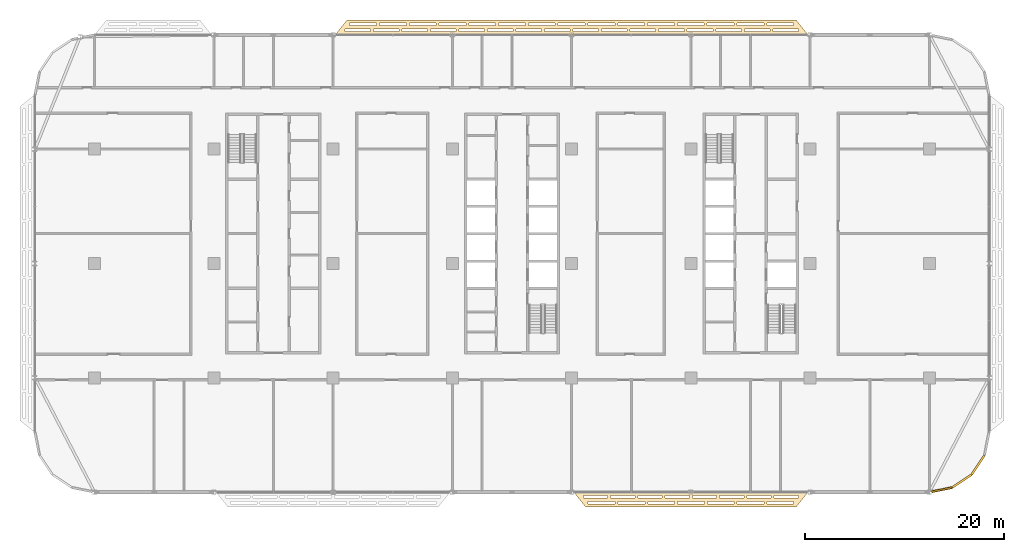
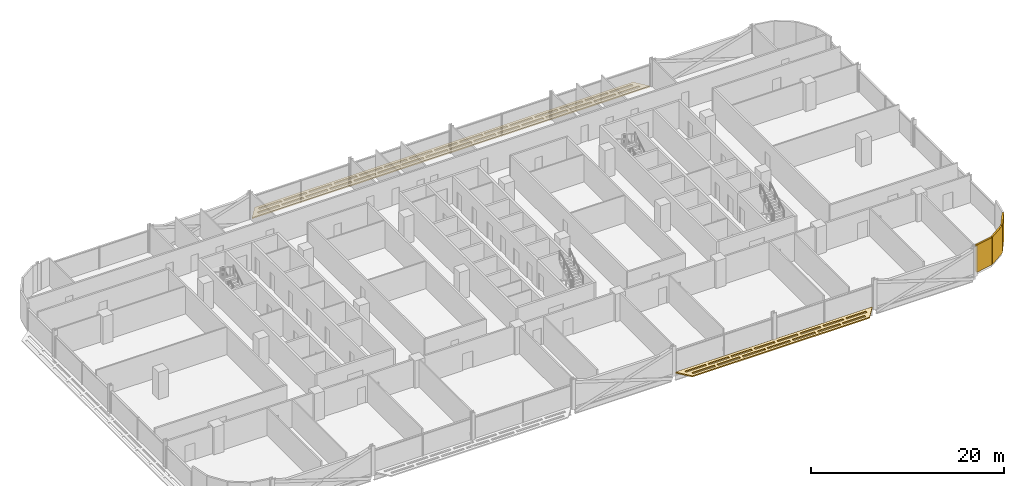
# One storey, part 25 of 27: 5 coverings.
"""IFC4 building model written with IfcOpenShell, lengths in metres."""

from ifc_helpers import new_model, si_unit, direction, frame, origin, origin_2d, place, context, subcontext, project, spatial, polyline, rectangle, outline, extrude, material, layer, layer_set, type_object, element, save


model = new_model("IFC4")

# Units and contexts
model_context = context("Model", 3, precision=1e-05, world=origin(), true_north=direction((0.0, 1.0)))
body_context = subcontext(model_context, "Body", "Model", "MODEL_VIEW")
ifc_project = project(units=[si_unit("LENGTHUNIT", "METRE"), si_unit("AREAUNIT", "SQUARE_METRE"), si_unit("VOLUMEUNIT", "CUBIC_METRE"), si_unit("PLANEANGLEUNIT", "RADIAN"), si_unit("MASSUNIT", "GRAM", prefix="KILO")], contexts=[model_context])

# Site, building, storey
site_placement = place(None, origin())
site = spatial("IfcSite", under=ifc_project, at=site_placement, CompositionType="ELEMENT")
building_placement = place(site_placement, origin())
building = spatial("IfcBuilding", under=site, at=building_placement, Name="Mahtab Terrace Research Tower", CompositionType="ELEMENT")
storey_placement = place(building_placement, frame((0.0, 0.0, 166.800048828125)))
storey = spatial("IfcBuildingStorey", under=building, at=storey_placement, Name="L39", CompositionType="ELEMENT", Elevation=166.800048828125)

# Coverings
ifc_material_1 = material(Name="Black aluminium cladding panel", Category="aluminium")
ifc_layer_1 = layer(ifc_material_1, 0.199951171875)
ifc_layer_set_1 = layer_set([ifc_layer_1], Name="Black metal corner cladding 200")
covering_type_1 = type_object("IfcCoveringType", Name="Black metal corner cladding 200", PredefinedType="CLADDING", material=ifc_layer_set_1)
covering_1_placement = place(storey_placement, frame((43.25830078125, -22.74951171875, 0.0), z_axis=(0.0, 0.0, 1.0), x_axis=(0.980760981187, 0.195212442692, 0.0)))
element("IfcCovering", 1, at=covering_1_placement, inside=storey, type_object=covering_type_1, Name="Corner cladding L39 30", PredefinedType="CLADDING", context=body_context, shape_type="SweptSolid", body=[
    extrude(rectangle(XDim=2.07666015625, YDim=0.199951171875, at=origin_2d()), origin(), (0.0, 0.0, 1.0), 3.4599609375),
])
for number, where, z_axis, x_axis, name in (
    (2, (45.26953125, -21.89306640625, 0.0), (0.0, 0.0, 1.0), (0.831655794326, 0.555291490808, 0.0), "Corner cladding L39 31"),
    (3, (46.89306640625, -20.26953125, 0.0), (0.0, 0.0, 1.0), (0.555291490808, 0.831655794326, 0.0), "Corner cladding L39 32"),
):
    element("IfcCovering", number, at=place(storey_placement, frame(where, z_axis=z_axis, x_axis=x_axis)), inside=storey, type_object=covering_type_1, Name=name, PredefinedType="CLADDING", context=body_context, shape_type="SweptSolid", body=[
        extrude(rectangle(XDim=2.30126953125, YDim=0.199951171875, at=origin_2d()), origin(), (0.0, 0.0, 1.0), 3.4599609375),
    ])
ifc_material_2 = material(Name="Black anodised aluminium", Category="aluminium")
ifc_layer_2 = layer(ifc_material_2, 0.14990234375)
ifc_layer_set_2 = layer_set([ifc_layer_2], Name="Horizontal sunshade band")
covering_type_2 = type_object("IfcCoveringType", Name="Horizontal sunshade band", PredefinedType="CLADDING", material=ifc_layer_set_2)
covering_2_placement = place(storey_placement, frame((0.0, 0.0, -0.150146484375)))
element("IfcCovering", 4, at=covering_2_placement, inside=storey, type_object=covering_type_2, Name="Sunshade band L39 4", PredefinedType="CLADDING", context=body_context, shape_type="SweptSolid", body=[
    extrude(outline(polyline([(29.7919921875, 23.0), (-17.7919921875, 23.0), (-16.592041015625, 24.5), (28.592041015625, 24.5), (29.7919921875, 23.0)]), holes=[polyline([(28.81201171875, 23.35009765625), (26.241943359375, 23.35009765625), (26.241943359375, 23.60009765625), (28.81201171875, 23.60009765625), (28.81201171875, 23.35009765625)]), polyline([(25.94189453125, 23.35009765625), (23.37109375, 23.35009765625), (23.37109375, 23.60009765625), (25.94189453125, 23.60009765625), (25.94189453125, 23.35009765625)]), polyline([(23.072021484375, 23.35009765625), (20.5009765625, 23.35009765625), (20.5009765625, 23.60009765625), (23.072021484375, 23.60009765625), (23.072021484375, 23.35009765625)]), polyline([(20.200927734375, 23.35009765625), (17.631103515625, 23.35009765625), (17.631103515625, 23.60009765625), (20.200927734375, 23.60009765625), (20.200927734375, 23.35009765625)]), polyline([(17.3310546875, 23.35009765625), (14.760986328125, 23.35009765625), (14.760986328125, 23.60009765625), (17.3310546875, 23.60009765625), (17.3310546875, 23.35009765625)]), polyline([(14.4609375, 23.35009765625), (11.889892578125, 23.35009765625), (11.889892578125, 23.60009765625), (14.4609375, 23.60009765625), (14.4609375, 23.35009765625)]), polyline([(11.590087890625, 23.35009765625), (9.02001953125, 23.35009765625), (9.02001953125, 23.60009765625), (11.590087890625, 23.60009765625), (11.590087890625, 23.35009765625)]), polyline([(8.719970703125, 23.35009765625), (6.14990234375, 23.35009765625), (6.14990234375, 23.60009765625), (8.719970703125, 23.60009765625), (8.719970703125, 23.35009765625)]), polyline([(5.85009765625, 23.35009765625), (3.280029296875, 23.35009765625), (3.280029296875, 23.60009765625), (5.85009765625, 23.60009765625), (5.85009765625, 23.35009765625)]), polyline([(2.97998046875, 23.35009765625), (0.408935546875, 23.35009765625), (0.408935546875, 23.60009765625), (2.97998046875, 23.60009765625), (2.97998046875, 23.35009765625)]), polyline([(0.10888671875, 23.35009765625), (-2.4609375, 23.35009765625), (-2.4609375, 23.60009765625), (0.10888671875, 23.60009765625), (0.10888671875, 23.35009765625)]), polyline([(-2.760986328125, 23.35009765625), (-5.3310546875, 23.35009765625), (-5.3310546875, 23.60009765625), (-2.760986328125, 23.60009765625), (-2.760986328125, 23.35009765625)]), polyline([(-5.631103515625, 23.35009765625), (-8.200927734375, 23.35009765625), (-8.200927734375, 23.60009765625), (-5.631103515625, 23.60009765625), (-5.631103515625, 23.35009765625)]), polyline([(-8.5009765625, 23.35009765625), (-11.072021484375, 23.35009765625), (-11.072021484375, 23.60009765625), (-8.5009765625, 23.60009765625), (-8.5009765625, 23.35009765625)]), polyline([(-11.3720703125, 23.35009765625), (-13.94189453125, 23.35009765625), (-13.94189453125, 23.60009765625), (-11.3720703125, 23.60009765625), (-11.3720703125, 23.35009765625)]), polyline([(-14.241943359375, 23.35009765625), (-16.81201171875, 23.35009765625), (-16.81201171875, 23.60009765625), (-14.241943359375, 23.60009765625), (-14.241943359375, 23.35009765625)]), polyline([(28.33203125, 23.949951171875), (25.634033203125, 23.949951171875), (25.634033203125, 24.199951171875), (28.33203125, 24.199951171875), (28.33203125, 23.949951171875)]), polyline([(25.333984375, 23.949951171875), (22.636962890625, 23.949951171875), (22.636962890625, 24.199951171875), (25.333984375, 24.199951171875), (25.333984375, 23.949951171875)]), polyline([(22.3369140625, 23.949951171875), (19.638916015625, 23.949951171875), (19.638916015625, 24.199951171875), (22.3369140625, 24.199951171875), (22.3369140625, 23.949951171875)]), polyline([(19.339111328125, 23.949951171875), (16.64208984375, 23.949951171875), (16.64208984375, 24.199951171875), (19.339111328125, 24.199951171875), (19.339111328125, 23.949951171875)]), polyline([(16.342041015625, 23.949951171875), (13.64404296875, 23.949951171875), (13.64404296875, 24.199951171875), (16.342041015625, 24.199951171875), (16.342041015625, 23.949951171875)]), polyline([(13.343994140625, 23.949951171875), (10.64599609375, 23.949951171875), (10.64599609375, 24.199951171875), (13.343994140625, 24.199951171875), (13.343994140625, 23.949951171875)]), polyline([(10.345947265625, 23.949951171875), (7.64892578125, 23.949951171875), (7.64892578125, 24.199951171875), (10.345947265625, 24.199951171875), (10.345947265625, 23.949951171875)]), polyline([(7.34912109375, 23.949951171875), (4.65087890625, 23.949951171875), (4.65087890625, 24.199951171875), (7.34912109375, 24.199951171875), (7.34912109375, 23.949951171875)]), polyline([(4.35107421875, 23.949951171875), (1.654052734375, 23.949951171875), (1.654052734375, 24.199951171875), (4.35107421875, 24.199951171875), (4.35107421875, 23.949951171875)]), polyline([(1.35400390625, 23.949951171875), (-1.343994140625, 23.949951171875), (-1.343994140625, 24.199951171875), (1.35400390625, 24.199951171875), (1.35400390625, 23.949951171875)]), polyline([(-1.64404296875, 23.949951171875), (-4.342041015625, 23.949951171875), (-4.342041015625, 24.199951171875), (-1.64404296875, 24.199951171875), (-1.64404296875, 23.949951171875)]), polyline([(-4.64208984375, 23.949951171875), (-7.339111328125, 23.949951171875), (-7.339111328125, 24.199951171875), (-4.64208984375, 24.199951171875), (-4.64208984375, 23.949951171875)]), polyline([(-7.638916015625, 23.949951171875), (-10.3369140625, 23.949951171875), (-10.3369140625, 24.199951171875), (-7.638916015625, 24.199951171875), (-7.638916015625, 23.949951171875)]), polyline([(-10.636962890625, 23.949951171875), (-13.333984375, 23.949951171875), (-13.333984375, 24.199951171875), (-10.636962890625, 24.199951171875), (-10.636962890625, 23.949951171875)]), polyline([(-13.634033203125, 23.949951171875), (-16.33203125, 23.949951171875), (-16.33203125, 24.199951171875), (-13.634033203125, 24.199951171875), (-13.634033203125, 23.949951171875)])]), origin(), (0.0, 0.0, 1.0), 0.150146484375),
])
covering_3_placement = place(storey_placement, frame((0.0, 0.0, -0.150146484375)))
element("IfcCovering", 5, at=covering_3_placement, inside=storey, type_object=covering_type_2, Name="Sunshade band L39 27", PredefinedType="CLADDING", context=body_context, shape_type="SweptSolid", body=[
    extrude(outline(polyline([(6.2080078125, -23.0), (29.7919921875, -23.0), (28.592041015625, -24.5), (7.407958984375, -24.5), (6.2080078125, -23.0)]), holes=[polyline([(7.18798828125, -23.35009765625), (9.6279296875, -23.35009765625), (9.6279296875, -23.60009765625), (7.18798828125, -23.60009765625), (7.18798828125, -23.35009765625)]), polyline([(9.927978515625, -23.35009765625), (12.368896484375, -23.35009765625), (12.368896484375, -23.60009765625), (9.927978515625, -23.60009765625), (9.927978515625, -23.35009765625)]), polyline([(12.6689453125, -23.35009765625), (15.10888671875, -23.35009765625), (15.10888671875, -23.60009765625), (12.6689453125, -23.60009765625), (12.6689453125, -23.35009765625)]), polyline([(15.408935546875, -23.35009765625), (17.85009765625, -23.35009765625), (17.85009765625, -23.60009765625), (15.408935546875, -23.60009765625), (15.408935546875, -23.35009765625)]), polyline([(18.14990234375, -23.35009765625), (20.590087890625, -23.35009765625), (20.590087890625, -23.60009765625), (18.14990234375, -23.60009765625), (18.14990234375, -23.35009765625)]), polyline([(20.889892578125, -23.35009765625), (23.3310546875, -23.35009765625), (23.3310546875, -23.60009765625), (20.889892578125, -23.60009765625), (20.889892578125, -23.35009765625)]), polyline([(23.631103515625, -23.35009765625), (26.072021484375, -23.35009765625), (26.072021484375, -23.60009765625), (23.631103515625, -23.60009765625), (23.631103515625, -23.35009765625)]), polyline([(26.37109375, -23.35009765625), (28.81201171875, -23.35009765625), (28.81201171875, -23.60009765625), (26.37109375, -23.60009765625), (26.37109375, -23.35009765625)]), polyline([(7.66796875, -23.949951171875), (10.363037109375, -23.949951171875), (10.363037109375, -24.199951171875), (7.66796875, -24.199951171875), (7.66796875, -23.949951171875)]), polyline([(10.6630859375, -23.949951171875), (13.35791015625, -23.949951171875), (13.35791015625, -24.199951171875), (10.6630859375, -24.199951171875), (10.6630859375, -23.949951171875)]), polyline([(13.657958984375, -23.949951171875), (16.35302734375, -23.949951171875), (16.35302734375, -24.199951171875), (13.657958984375, -24.199951171875), (13.657958984375, -23.949951171875)]), polyline([(16.653076171875, -23.949951171875), (19.346923828125, -23.949951171875), (19.346923828125, -24.199951171875), (16.653076171875, -24.199951171875), (16.653076171875, -23.949951171875)]), polyline([(19.64697265625, -23.949951171875), (22.342041015625, -23.949951171875), (22.342041015625, -24.199951171875), (19.64697265625, -24.199951171875), (19.64697265625, -23.949951171875)]), polyline([(22.64208984375, -23.949951171875), (25.3369140625, -23.949951171875), (25.3369140625, -24.199951171875), (22.64208984375, -24.199951171875), (22.64208984375, -23.949951171875)]), polyline([(25.636962890625, -23.949951171875), (28.33203125, -23.949951171875), (28.33203125, -24.199951171875), (25.636962890625, -24.199951171875), (25.636962890625, -23.949951171875)])]), origin(), (0.0, 0.0, 1.0), 0.150146484375),
])

save(model, "model.ifc")
